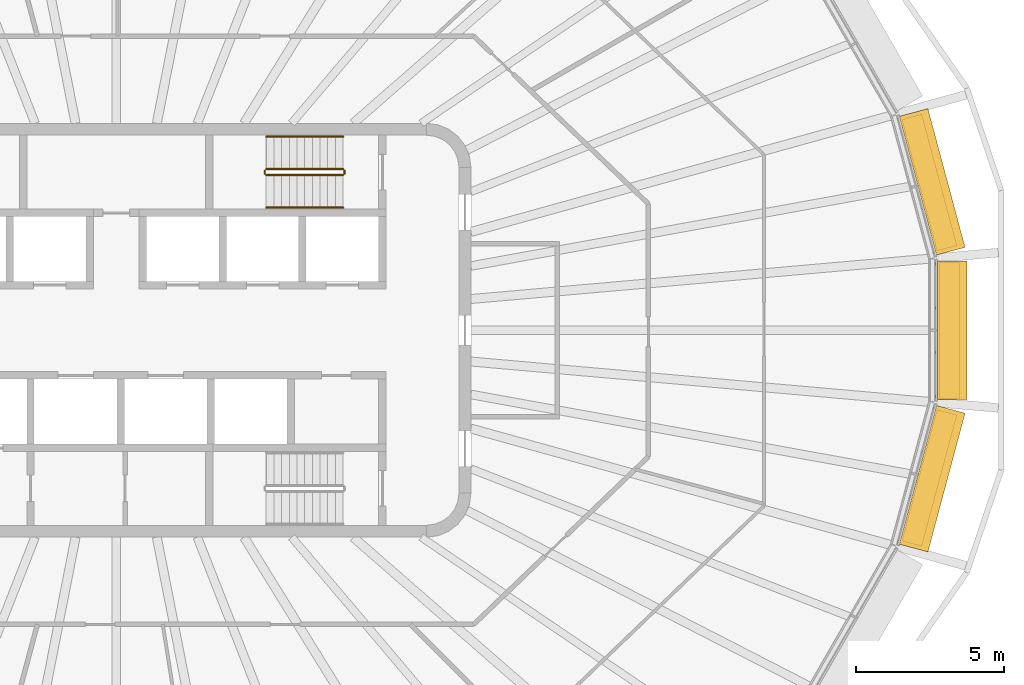
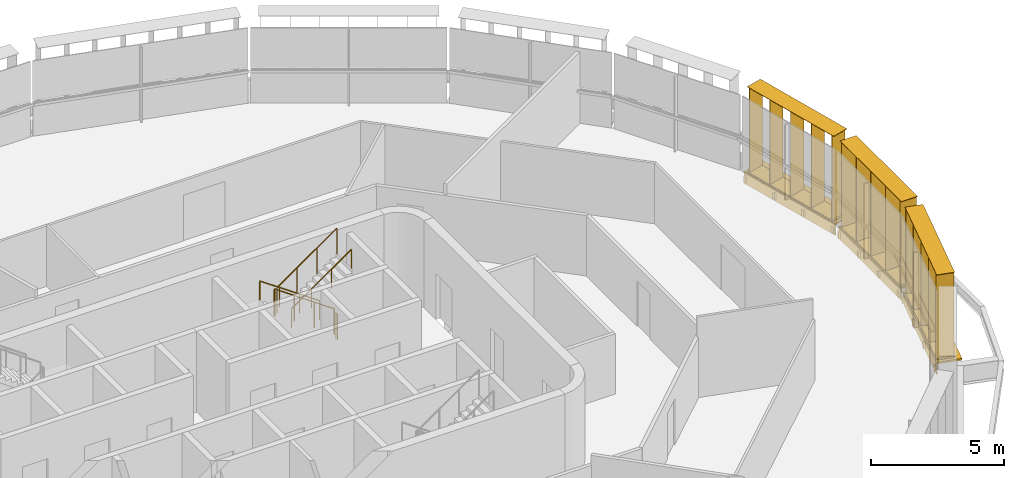
# One storey, part 17 of 18: 6 railings, 6 shading devices.
"""IFC4 building model written with IfcOpenShell, lengths in metres."""

import ifcopenshell
import ifcopenshell.guid

model = None  # the IFC model being written
_history = None  # IfcOwnerHistory: only IFC2X3 demands one
_inside = {}  # id of a spatial element -> (the spatial element, [elements in it])
_under = {}  # id of a project, library or spatial element -> (it, [spatial elements below it])
_declared = {}  # id of a project -> (the project, [libraries it declares])
_typed = {}  # id of a type object -> (the type object, [elements of that type])
_made_of = {}  # id of a material, layer set ... -> (it, [elements and type objects made of it])


def new_model(schema):
    """Start an empty IFC model of exactly this schema.

    Asked for "IFC4X3", IfcOpenShell would pick the latest addendum, in which some entities
    have other attributes; the version numbers below select the first issue.
    IFC2X3 requires an IfcOwnerHistory on every rooted entity: one is made here for all.
    """
    global model, _history
    if schema == "IFC4X3":
        model = ifcopenshell.file(schema_version=(4, 3, 0, 0))
    else:
        model = ifcopenshell.file(schema=schema)
    _inside.clear()
    _under.clear()
    _declared.clear()
    _typed.clear()
    _made_of.clear()
    _history = None
    if model.schema == "IFC2X3":
        org = make("IfcOrganization", Name="unknown")
        user = make(
            "IfcPersonAndOrganization",
            ThePerson=make("IfcPerson", FamilyName="unknown"),
            TheOrganization=org,
        )
        app = make(
            "IfcApplication",
            ApplicationDeveloper=org,
            Version="unknown",
            ApplicationFullName="unknown",
            ApplicationIdentifier="unknown",
        )
        _history = make(
            "IfcOwnerHistory",
            OwningUser=user,
            OwningApplication=app,
            ChangeAction="ADDED",
            CreationDate=0,
        )
    return model


def make(cls, **values):
    """One entity of the class cls with the attributes given. An attribute that is None is left unset."""
    return model.create_entity(
        cls, **{name: value for name, value in values.items() if value is not None}
    )


def rooted(cls, **values):
    """An entity with a GlobalId (a new one), such as an element, a storey or a relation."""
    return make(cls, GlobalId=ifcopenshell.guid.new(), OwnerHistory=_history, **values)


def si_unit(unit_type, name, prefix=None):
    """IfcSIUnit, for example si_unit("LENGTHUNIT", "METRE", prefix="MILLI")."""
    return make("IfcSIUnit", UnitType=unit_type, Prefix=prefix, Name=name)


def assignment(units):
    """IfcUnitAssignment: the units of a project."""
    return None if units is None else make("IfcUnitAssignment", Units=units)


def point(xyz):
    """IfcCartesianPoint."""
    return None if xyz is None else make("IfcCartesianPoint", Coordinates=xyz)


def direction(xyz):
    """IfcDirection."""
    return None if xyz is None else make("IfcDirection", DirectionRatios=xyz)


def frame(location, z_axis=None, x_axis=None):
    """IfcAxis2Placement3D, a coordinate frame: its origin and axes. An axis left out is left unset."""
    return make(
        "IfcAxis2Placement3D",
        Location=point(location),
        Axis=direction(z_axis),
        RefDirection=direction(x_axis),
    )


def frame_2d(location, x_axis=None):
    """IfcAxis2Placement2D, a coordinate frame in the plane: its origin and x axis."""
    return make(
        "IfcAxis2Placement2D", Location=point(location), RefDirection=direction(x_axis)
    )


def origin():
    """The frame at (0, 0, 0) with its axes left unset."""
    return frame((0.0, 0.0, 0.0))


def origin_2d():
    """The frame at (0, 0) in the plane with its x axis left unset."""
    return frame_2d((0.0, 0.0))


def place(relative_to, where):
    """IfcLocalPlacement: puts the frame where relative to a parent placement (None: the world)."""
    return make(
        "IfcLocalPlacement", PlacementRelTo=relative_to, RelativePlacement=where
    )


def context(
    kind, dimensions, precision=None, world=None, true_north=None, identifier=None
):
    """IfcGeometricRepresentationContext, for example the 3D "Model" context."""
    return make(
        "IfcGeometricRepresentationContext",
        ContextIdentifier=identifier,
        ContextType=kind,
        CoordinateSpaceDimension=dimensions,
        Precision=precision,
        WorldCoordinateSystem=world,
        TrueNorth=true_north,
    )


def subcontext(parent, identifier, kind, view, scale=None):
    """IfcGeometricRepresentationSubContext, for example "Body" below "Model"."""
    return make(
        "IfcGeometricRepresentationSubContext",
        ContextIdentifier=identifier,
        ContextType=kind,
        ParentContext=parent,
        TargetScale=scale,
        TargetView=view,
    )


def project(units=None, contexts=None):
    """IfcProject with its units and contexts."""
    return rooted(
        "IfcProject",
        Name="project",
        RepresentationContexts=contexts,
        UnitsInContext=assignment(units),
    )


def spatial(cls, under=None, at=None, **own):
    """A site, building, storey or space (cls), placed at a placement, below another one or the project."""
    s = rooted(cls, ObjectPlacement=at, **own)
    if under is not None:
        _under.setdefault(under.id(), (under, []))[1].append(s)
    return s


def profile(cls, at=None, kind="AREA", **sizes):
    """A parametric profile (cls). Its sizes go by their IFC names, for example OverallWidth=200.0."""
    return make(cls, ProfileType=kind, Position=at, **sizes)


def rectangle(**sizes):
    """IfcRectangleProfileDef."""
    return profile("IfcRectangleProfileDef", **sizes)


def circle(**sizes):
    """IfcCircleProfileDef."""
    return profile("IfcCircleProfileDef", **sizes)


def extrude(swept, where, along, depth):
    """IfcExtrudedAreaSolid: the profile swept, set in the frame where, extruded along a direction by depth."""
    return make(
        "IfcExtrudedAreaSolid",
        SweptArea=swept,
        Position=where,
        ExtrudedDirection=direction(along),
        Depth=depth,
    )


def shape(context_of_items, identifier, shape_type, items):
    """IfcShapeRepresentation: the items that make up one representation, for example the "Body"."""
    return make(
        "IfcShapeRepresentation",
        ContextOfItems=context_of_items,
        RepresentationIdentifier=identifier,
        RepresentationType=shape_type,
        Items=items,
    )


def material(Name=None, Category=None):
    """IfcMaterial."""
    return make("IfcMaterial", Name=Name, Category=Category)


def made_of(thing, what):
    """Note that an element or type object is made of a material, layer set ...; save() writes the relation."""
    if what is not None:
        _made_of.setdefault(what.id(), (what, []))[1].append(thing)
    return thing


def type_object(cls, material=None, **own):
    """A type object (cls), such as IfcWallType, which elements share."""
    return made_of(rooted(cls, **own), material)


def element(
    cls,
    number,
    at=None,
    inside=None,
    cuts=None,
    type_object=None,
    material=None,
    context=None,
    identifier="Body",
    shape_type=None,
    held_by="IfcProductDefinitionShape",
    body=None,
    shapes=None,
    **own,
):
    """One element of the class cls, such as IfcWall. Its Tag is "e" and its number.

    at: its placement. inside: the storey or other place that contains it. cuts: it is an
    opening in that element (IfcRelVoidsElement). A single representation is given by context,
    identifier, shape_type and body (its items); several are given by shapes. held_by: the class
    of the entity that holds the representations. save() writes the other relations.
    """
    e = rooted(cls, Tag="e%d" % number, ObjectPlacement=at, **own)
    if body is not None:
        shapes = [shape(context, identifier, shape_type, body)]
    if shapes is not None:
        e.Representation = make(held_by, Representations=shapes)
    if inside is not None:
        _inside.setdefault(inside.id(), (inside, []))[1].append(e)
    if cuts is not None:
        rooted(
            "IfcRelVoidsElement", RelatingBuildingElement=cuts, RelatedOpeningElement=e
        )
    if type_object is not None:
        _typed.setdefault(type_object.id(), (type_object, []))[1].append(e)
    return made_of(e, material)


def aggregate(whole, parts):
    """IfcRelAggregates: a whole, such as a stair, and the parts it consists of."""
    return rooted("IfcRelAggregates", RelatingObject=whole, RelatedObjects=parts)


def save(model, path):
    """Write the relations noted so far, then the file.

    IfcRelAggregates (storeys below a building ...), IfcRelContainedInSpatialStructure (elements
    in a storey), IfcRelDefinesByType, IfcRelAssociatesMaterial and IfcRelDeclares: one each for
    every whole, place, type object, material and project.
    """
    for whole, parts in _under.values():
        aggregate(whole, parts)
    for where, things in _inside.values():
        rooted(
            "IfcRelContainedInSpatialStructure",
            RelatedElements=things,
            RelatingStructure=where,
        )
    for kind, things in _typed.values():
        rooted("IfcRelDefinesByType", RelatedObjects=things, RelatingType=kind)
    for what, things in _made_of.values():
        rooted("IfcRelAssociatesMaterial", RelatedObjects=things, RelatingMaterial=what)
    for by, libraries in _declared.values():
        rooted("IfcRelDeclares", RelatingContext=by, RelatedDefinitions=libraries)
    model.write(path)


model = new_model("IFC4")

# Units and contexts
model_context = context("Model", 3, precision=1e-05, world=origin(), true_north=direction((0.0, 1.0)))
body_context = subcontext(model_context, "Body", "Model", "MODEL_VIEW")
ifc_project = project(units=[si_unit("LENGTHUNIT", "METRE"), si_unit("AREAUNIT", "SQUARE_METRE"), si_unit("VOLUMEUNIT", "CUBIC_METRE"), si_unit("PLANEANGLEUNIT", "RADIAN"), si_unit("MASSUNIT", "GRAM", prefix="KILO")], contexts=[model_context])

# Site, building, storey
site_placement = place(None, origin())
site = spatial("IfcSite", under=ifc_project, at=site_placement, CompositionType="ELEMENT")
building_placement = place(site_placement, origin())
building = spatial("IfcBuilding", under=site, at=building_placement, Name="Sahrelin Media Tower", CompositionType="ELEMENT")
storey_placement = place(building_placement, frame((0.0, 0.0, 295.0)))
storey = spatial("IfcBuildingStorey", under=building, at=storey_placement, Name="L65", CompositionType="ELEMENT", Elevation=295.0)

# Shading devices
ifc_material_1 = material(Name="Champagne anodised aluminium 6063-T6", Category="aluminium")
shading_device_type_1 = type_object("IfcShadingDeviceType", Name="Fin cassette", PredefinedType="USERDEFINED", material=ifc_material_1)
placement_1 = place(storey_placement, frame((27.756591796875, 0.0, 0.0), z_axis=(0.0, 0.0, 1.0), x_axis=(0.0, -1.0, 0.0)))
element("IfcShadingDevice", 1, at=placement_1, inside=storey, type_object=shading_device_type_1, Name="L65:FIN:L65-00", ObjectType="FIN", PredefinedType="USERDEFINED", context=body_context, shape_type="SweptSolid", body=[
    extrude(rectangle(XDim=4.60009765625, YDim=0.699951171875, at=origin_2d()), frame((0.0, 0.419921875, 0.0)), (0.0, 0.0, 1.0), 0.02001953125),
    extrude(rectangle(XDim=4.60009765625, YDim=0.699951171875, at=origin_2d()), frame((0.0, 0.419921875, 3.89990234375)), (0.0, 0.0, 1.0), 0.02001953125),
    extrude(rectangle(XDim=0.02001953125, YDim=0.699951171875, at=origin_2d()), frame((-2.199951171875, 0.419921875, 0.010009765625), z_axis=(0.0, 0.0, 1.0), x_axis=(1.0, 0.0, 0.0)), (0.0, 0.0, 1.0), 3.89990234375),
    extrude(rectangle(XDim=0.02001953125, YDim=0.699951171875, at=origin_2d()), frame((-1.10009765625, 0.419921875, 0.010009765625), z_axis=(0.0, 0.0, 1.0), x_axis=(1.0, 0.0, 0.0)), (0.0, 0.0, 1.0), 3.89990234375),
    extrude(rectangle(XDim=0.02001953125, YDim=0.699951171875, at=origin_2d()), frame((0.0, 0.419921875, 0.010009765625), z_axis=(0.0, 0.0, 1.0), x_axis=(1.0, 0.0, 0.0)), (0.0, 0.0, 1.0), 3.89990234375),
    extrude(rectangle(XDim=0.02001953125, YDim=0.699951171875, at=origin_2d()), frame((1.10009765625, 0.419921875, 0.010009765625), z_axis=(0.0, 0.0, 1.0), x_axis=(1.0, 0.0, 0.0)), (0.0, 0.0, 1.0), 3.89990234375),
    extrude(rectangle(XDim=0.02001953125, YDim=0.699951171875, at=origin_2d()), frame((2.199951171875, 0.419921875, 0.010009765625), z_axis=(0.0, 0.0, 1.0), x_axis=(1.0, 0.0, 0.0)), (0.0, 0.0, 1.0), 3.89990234375),
])
placement_2 = place(storey_placement, frame((27.10205078125, 4.88671875, 0.0), z_axis=(0.0, 0.0, 1.0), x_axis=(0.258807731996, -0.965928857556, 0.0)))
element("IfcShadingDevice", 2, at=placement_2, inside=storey, type_object=shading_device_type_1, Name="L65:FIN:L65-01", ObjectType="FIN", PredefinedType="USERDEFINED", context=body_context, shape_type="SweptSolid", body=[
    extrude(rectangle(XDim=4.60009765625, YDim=0.699951171875, at=origin_2d()), frame((0.0, 0.419921875, 0.0)), (0.0, 0.0, 1.0), 0.02001953125),
    extrude(rectangle(XDim=4.60009765625, YDim=0.699951171875, at=origin_2d()), frame((0.0, 0.419921875, 3.89990234375)), (0.0, 0.0, 1.0), 0.02001953125),
    extrude(rectangle(XDim=0.02001953125, YDim=0.699951171875, at=origin_2d()), frame((-2.199951171875, 0.419921875, 0.010009765625), z_axis=(0.0, 0.0, 1.0), x_axis=(1.0, 0.0, 0.0)), (0.0, 0.0, 1.0), 3.89990234375),
    extrude(rectangle(XDim=0.02001953125, YDim=0.699951171875, at=origin_2d()), frame((-1.10009765625, 0.419921875, 0.010009765625), z_axis=(0.0, 0.0, 1.0), x_axis=(1.0, 0.0, 0.0)), (0.0, 0.0, 1.0), 3.89990234375),
    extrude(rectangle(XDim=0.02001953125, YDim=0.699951171875, at=origin_2d()), frame((0.0, 0.419921875, 0.010009765625), z_axis=(0.0, 0.0, 1.0), x_axis=(1.0, 0.0, 0.0)), (0.0, 0.0, 1.0), 3.89990234375),
    extrude(rectangle(XDim=0.02001953125, YDim=0.699951171875, at=origin_2d()), frame((1.10009765625, 0.419921875, 0.010009765625), z_axis=(0.0, 0.0, 1.0), x_axis=(1.0, 0.0, 0.0)), (0.0, 0.0, 1.0), 3.89990234375),
    extrude(rectangle(XDim=0.02001953125, YDim=0.699951171875, at=origin_2d()), frame((2.199951171875, 0.419921875, 0.010009765625), z_axis=(0.0, 0.0, 1.0), x_axis=(1.0, 0.0, 0.0)), (0.0, 0.0, 1.0), 3.89990234375),
])
placement_3 = place(storey_placement, frame((27.10205078125, -4.886962890625, 0.0), z_axis=(0.0, 0.0, 1.0), x_axis=(-0.258807731996, -0.965928857556, 0.0)))
element("IfcShadingDevice", 3, at=placement_3, inside=storey, type_object=shading_device_type_1, Name="L65:FIN:L65-23", ObjectType="FIN", PredefinedType="USERDEFINED", context=body_context, shape_type="SweptSolid", body=[
    extrude(rectangle(XDim=4.60009765625, YDim=0.699951171875, at=origin_2d()), frame((0.0, 0.419921875, 0.0)), (0.0, 0.0, 1.0), 0.02001953125),
    extrude(rectangle(XDim=4.60009765625, YDim=0.699951171875, at=origin_2d()), frame((0.0, 0.419921875, 3.89990234375)), (0.0, 0.0, 1.0), 0.02001953125),
    extrude(rectangle(XDim=0.02001953125, YDim=0.699951171875, at=origin_2d()), frame((-2.199951171875, 0.419921875, 0.010009765625), z_axis=(0.0, 0.0, 1.0), x_axis=(1.0, 0.0, 0.0)), (0.0, 0.0, 1.0), 3.89990234375),
    extrude(rectangle(XDim=0.02001953125, YDim=0.699951171875, at=origin_2d()), frame((-1.10009765625, 0.419921875, 0.010009765625), z_axis=(0.0, 0.0, 1.0), x_axis=(1.0, 0.0, 0.0)), (0.0, 0.0, 1.0), 3.89990234375),
    extrude(rectangle(XDim=0.02001953125, YDim=0.699951171875, at=origin_2d()), frame((0.0, 0.419921875, 0.010009765625), z_axis=(0.0, 0.0, 1.0), x_axis=(1.0, 0.0, 0.0)), (0.0, 0.0, 1.0), 3.89990234375),
    extrude(rectangle(XDim=0.02001953125, YDim=0.699951171875, at=origin_2d()), frame((1.10009765625, 0.419921875, 0.010009765625), z_axis=(0.0, 0.0, 1.0), x_axis=(1.0, 0.0, 0.0)), (0.0, 0.0, 1.0), 3.89990234375),
    extrude(rectangle(XDim=0.02001953125, YDim=0.699951171875, at=origin_2d()), frame((2.199951171875, 0.419921875, 0.010009765625), z_axis=(0.0, 0.0, 1.0), x_axis=(1.0, 0.0, 0.0)), (0.0, 0.0, 1.0), 3.89990234375),
])

# Railings
ifc_material_2 = material(Name="Steel S355", Category="steel")
railing_type_1 = type_object("IfcRailingType", Name="Stair guard 1200", PredefinedType="GUARDRAIL", material=ifc_material_2)
railing_1_placement = place(storey_placement, frame((7.675048828125, 5.449951171875, 0.181884765625)))
element("IfcRailing", 4, at=railing_1_placement, inside=storey, type_object=railing_type_1, Name="L65 ST3 stair guard 1", PredefinedType="GUARDRAIL", context=body_context, shape_type="SweptSolid", body=[
    extrude(circle(Radius=0.02392578125, at=origin_2d()), frame((0.0, 0.0, 1.17578125), z_axis=(-0.819521025635, 0.0, 0.573049115296), x_axis=(0.0, -1.0, 0.0)), (0.0, 0.0, 1.0), 3.172607421875),
    extrude(circle(Radius=0.02099609375, at=origin_2d()), origin(), (0.0, 0.0, 1.0), 1.15185546875),
    extrude(circle(Radius=0.02099609375, at=origin_2d()), frame((-0.86669921875, 0.0, 0.60595703125)), (0.0, 0.0, 1.0), 1.15185546875),
    extrude(circle(Radius=0.02099609375, at=origin_2d()), frame((-1.7333984375, 0.0, 1.212158203125)), (0.0, 0.0, 1.0), 1.15185546875),
    extrude(circle(Radius=0.02099609375, at=origin_2d()), frame((-2.60009765625, 0.0, 1.818115234375)), (0.0, 0.0, 1.0), 1.15185546875),
])
railing_2_placement = place(storey_placement, frame((5.02490234375, 5.39990234375, 2.0)))
element("IfcRailing", 5, at=railing_2_placement, inside=storey, type_object=railing_type_1, Name="L65 ST3 stair guard 2", PredefinedType="GUARDRAIL", context=body_context, shape_type="SweptSolid", body=[
    extrude(circle(Radius=0.02392578125, at=origin_2d()), frame((0.0, 0.0, 1.17578125), z_axis=(0.0, -1.0, 0.0), x_axis=(1.0, 0.0, 0.0)), (0.0, 0.0, 1.0), 0.099853515625),
    extrude(circle(Radius=0.02099609375, at=origin_2d()), origin(), (0.0, 0.0, 1.0), 1.15185546875),
    extrude(circle(Radius=0.02099609375, at=origin_2d()), frame((0.0, -0.099853515625, 0.0)), (0.0, 0.0, 1.0), 1.15185546875),
])
railing_3_placement = place(storey_placement, frame((5.074951171875, 5.25, 2.181884765625)))
element("IfcRailing", 6, at=railing_3_placement, inside=storey, type_object=railing_type_1, Name="L65 ST3 stair guard 3", PredefinedType="GUARDRAIL", context=body_context, shape_type="SweptSolid", body=[
    extrude(circle(Radius=0.02392578125, at=origin_2d()), frame((0.0, 0.0, 1.17578125), z_axis=(0.819521025635, 0.0, 0.573049115296), x_axis=(0.0, 1.0, 0.0)), (0.0, 0.0, 1.0), 3.172607421875),
    extrude(circle(Radius=0.02099609375, at=origin_2d()), origin(), (0.0, 0.0, 1.0), 1.15185546875),
    extrude(circle(Radius=0.02099609375, at=origin_2d()), frame((0.86669921875, 0.0, 0.60595703125)), (0.0, 0.0, 1.0), 1.15185546875),
    extrude(circle(Radius=0.02099609375, at=origin_2d()), frame((1.7333984375, 0.0, 1.212158203125)), (0.0, 0.0, 1.0), 1.15185546875),
    extrude(circle(Radius=0.02099609375, at=origin_2d()), frame((2.60009765625, 0.0, 1.818115234375)), (0.0, 0.0, 1.0), 1.15185546875),
])
railing_4_placement = place(storey_placement, frame((7.72509765625, 5.39990234375, 0.0)))
element("IfcRailing", 7, at=railing_4_placement, inside=storey, type_object=railing_type_1, Name="L65 ST3 stair guard 4", PredefinedType="GUARDRAIL", context=body_context, shape_type="SweptSolid", body=[
    extrude(circle(Radius=0.02392578125, at=origin_2d()), frame((0.0, 0.0, 1.17578125), z_axis=(0.0, -1.0, 0.0), x_axis=(1.0, 0.0, 0.0)), (0.0, 0.0, 1.0), 0.099853515625),
    extrude(circle(Radius=0.02099609375, at=origin_2d()), origin(), (0.0, 0.0, 1.0), 1.15185546875),
    extrude(circle(Radius=0.02099609375, at=origin_2d()), frame((0.0, -0.099853515625, 0.0)), (0.0, 0.0, 1.0), 1.15185546875),
])
railing_type_2 = type_object("IfcRailingType", Name="Stair handrail 900", PredefinedType="HANDRAIL", material=ifc_material_2)
railing_5_placement = place(storey_placement, frame((7.675048828125, 6.550048828125, 0.181884765625)))
element("IfcRailing", 8, at=railing_5_placement, inside=storey, type_object=railing_type_2, Name="L65 ST3 stair handrail 1", PredefinedType="HANDRAIL", context=body_context, shape_type="SweptSolid", body=[
    extrude(circle(Radius=0.02392578125, at=origin_2d()), frame((0.0, 0.0, 0.8759765625), z_axis=(-0.819521025635, 0.0, 0.573049115296), x_axis=(0.0, -1.0, 0.0)), (0.0, 0.0, 1.0), 3.172607421875),
    extrude(circle(Radius=0.02099609375, at=origin_2d()), origin(), (0.0, 0.0, 1.0), 0.851806640625),
    extrude(circle(Radius=0.02099609375, at=origin_2d()), frame((-0.86669921875, 0.0, 0.60595703125)), (0.0, 0.0, 1.0), 0.851806640625),
    extrude(circle(Radius=0.02099609375, at=origin_2d()), frame((-1.7333984375, 0.0, 1.212158203125)), (0.0, 0.0, 1.0), 0.851806640625),
    extrude(circle(Radius=0.02099609375, at=origin_2d()), frame((-2.60009765625, 0.0, 1.818115234375)), (0.0, 0.0, 1.0), 0.851806640625),
])
railing_6_placement = place(storey_placement, frame((5.074951171875, 4.14990234375, 2.181884765625)))
element("IfcRailing", 9, at=railing_6_placement, inside=storey, type_object=railing_type_2, Name="L65 ST3 stair handrail 2", PredefinedType="HANDRAIL", context=body_context, shape_type="SweptSolid", body=[
    extrude(circle(Radius=0.02392578125, at=origin_2d()), frame((0.0, 0.0, 0.8759765625), z_axis=(0.819521025635, 0.0, 0.573049115296), x_axis=(0.0, 1.0, 0.0)), (0.0, 0.0, 1.0), 3.172607421875),
    extrude(circle(Radius=0.02099609375, at=origin_2d()), origin(), (0.0, 0.0, 1.0), 0.851806640625),
    extrude(circle(Radius=0.02099609375, at=origin_2d()), frame((0.86669921875, 0.0, 0.60595703125)), (0.0, 0.0, 1.0), 0.851806640625),
    extrude(circle(Radius=0.02099609375, at=origin_2d()), frame((1.7333984375, 0.0, 1.212158203125)), (0.0, 0.0, 1.0), 0.851806640625),
    extrude(circle(Radius=0.02099609375, at=origin_2d()), frame((2.60009765625, 0.0, 1.818115234375)), (0.0, 0.0, 1.0), 0.851806640625),
])

# Shading devices
shading_device_type_2 = type_object("IfcShadingDeviceType", Name="Sunshade band", PredefinedType="USERDEFINED", material=ifc_material_1)
element("IfcShadingDevice", 10, at=placement_1, inside=storey, type_object=shading_device_type_2, Name="L65:SUN:L65-00", ObjectType="SUNSHADE", PredefinedType="USERDEFINED", context=body_context, shape_type="SweptSolid", body=[
    extrude(rectangle(XDim=4.6884765625, YDim=0.050048828125, at=origin_2d()), frame((0.0, 0.044921875, -0.55126953125)), (0.0, 0.0, 1.0), 0.471435546875),
    extrude(rectangle(XDim=4.6884765625, YDim=1.0, at=origin_2d()), frame((0.0, 0.52001953125, -0.080078125)), (0.0, 0.0, 1.0), 0.080078125),
    extrude(rectangle(XDim=0.10009765625, YDim=0.074951171875, at=origin_2d()), frame((-2.244140625, -0.017578125, -0.47021484375)), (0.0, 0.0, 1.0), 0.300048828125),
    extrude(rectangle(XDim=0.10009765625, YDim=0.074951171875, at=origin_2d()), frame((-0.748046875, -0.017578125, -0.47021484375)), (0.0, 0.0, 1.0), 0.300048828125),
    extrude(rectangle(XDim=0.10009765625, YDim=0.074951171875, at=origin_2d()), frame((0.748046875, -0.017578125, -0.47021484375)), (0.0, 0.0, 1.0), 0.300048828125),
    extrude(rectangle(XDim=0.10009765625, YDim=0.074951171875, at=origin_2d()), frame((2.244140625, -0.017578125, -0.47021484375)), (0.0, 0.0, 1.0), 0.300048828125),
])
element("IfcShadingDevice", 11, at=placement_2, inside=storey, type_object=shading_device_type_2, Name="L65:SUN:L65-01", ObjectType="SUNSHADE", PredefinedType="USERDEFINED", context=body_context, shape_type="SweptSolid", body=[
    extrude(rectangle(XDim=4.857666015625, YDim=0.050048828125, at=origin_2d()), frame((0.0, 0.044921875, -0.55126953125)), (0.0, 0.0, 1.0), 0.471435546875),
    extrude(rectangle(XDim=4.857666015625, YDim=1.0, at=origin_2d()), frame((0.0, 0.52001953125, -0.080078125)), (0.0, 0.0, 1.0), 0.080078125),
    extrude(rectangle(XDim=0.10009765625, YDim=0.074951171875, at=origin_2d()), frame((-2.328857421875, -0.017578125, -0.47021484375)), (0.0, 0.0, 1.0), 0.300048828125),
    extrude(rectangle(XDim=0.10009765625, YDim=0.074951171875, at=origin_2d()), frame((-0.7763671875, -0.017578125, -0.47021484375)), (0.0, 0.0, 1.0), 0.300048828125),
    extrude(rectangle(XDim=0.10009765625, YDim=0.074951171875, at=origin_2d()), frame((0.7763671875, -0.017578125, -0.47021484375)), (0.0, 0.0, 1.0), 0.300048828125),
    extrude(rectangle(XDim=0.10009765625, YDim=0.074951171875, at=origin_2d()), frame((2.328857421875, -0.017578125, -0.47021484375)), (0.0, 0.0, 1.0), 0.300048828125),
])
element("IfcShadingDevice", 12, at=placement_3, inside=storey, type_object=shading_device_type_2, Name="L65:SUN:L65-23", ObjectType="SUNSHADE", PredefinedType="USERDEFINED", context=body_context, shape_type="SweptSolid", body=[
    extrude(rectangle(XDim=4.857666015625, YDim=0.050048828125, at=origin_2d()), frame((0.0, 0.044921875, -0.55126953125)), (0.0, 0.0, 1.0), 0.471435546875),
    extrude(rectangle(XDim=4.857666015625, YDim=1.0, at=origin_2d()), frame((0.0, 0.52001953125, -0.080078125)), (0.0, 0.0, 1.0), 0.080078125),
    extrude(rectangle(XDim=0.10009765625, YDim=0.074951171875, at=origin_2d()), frame((-2.328857421875, -0.017578125, -0.47021484375)), (0.0, 0.0, 1.0), 0.300048828125),
    extrude(rectangle(XDim=0.10009765625, YDim=0.074951171875, at=origin_2d()), frame((-0.7763671875, -0.017578125, -0.47021484375)), (0.0, 0.0, 1.0), 0.300048828125),
    extrude(rectangle(XDim=0.10009765625, YDim=0.074951171875, at=origin_2d()), frame((0.7763671875, -0.017578125, -0.47021484375)), (0.0, 0.0, 1.0), 0.300048828125),
    extrude(rectangle(XDim=0.10009765625, YDim=0.074951171875, at=origin_2d()), frame((2.328857421875, -0.017578125, -0.47021484375)), (0.0, 0.0, 1.0), 0.300048828125),
])

save(model, "model.ifc")
